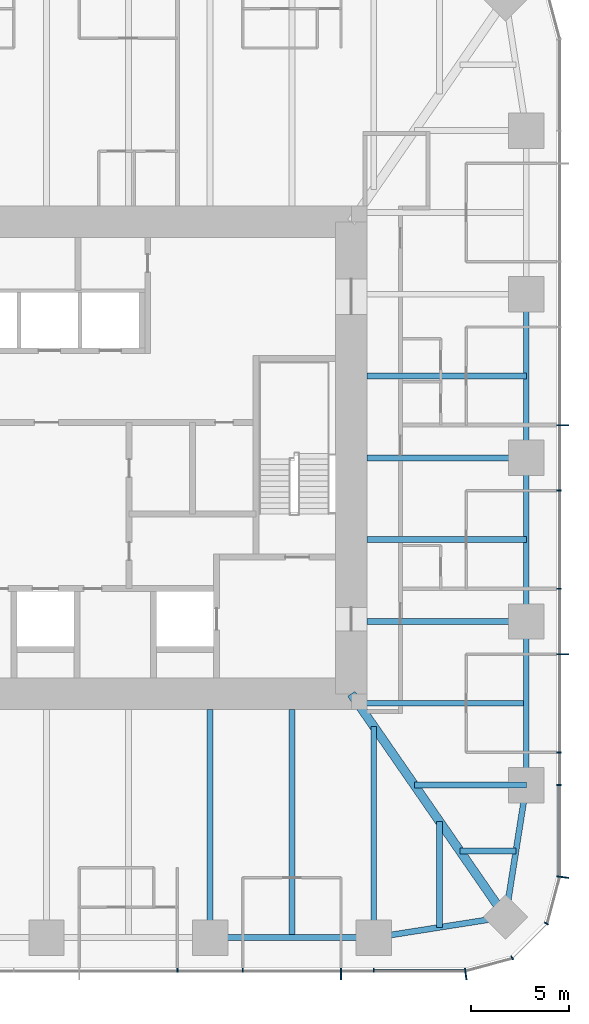
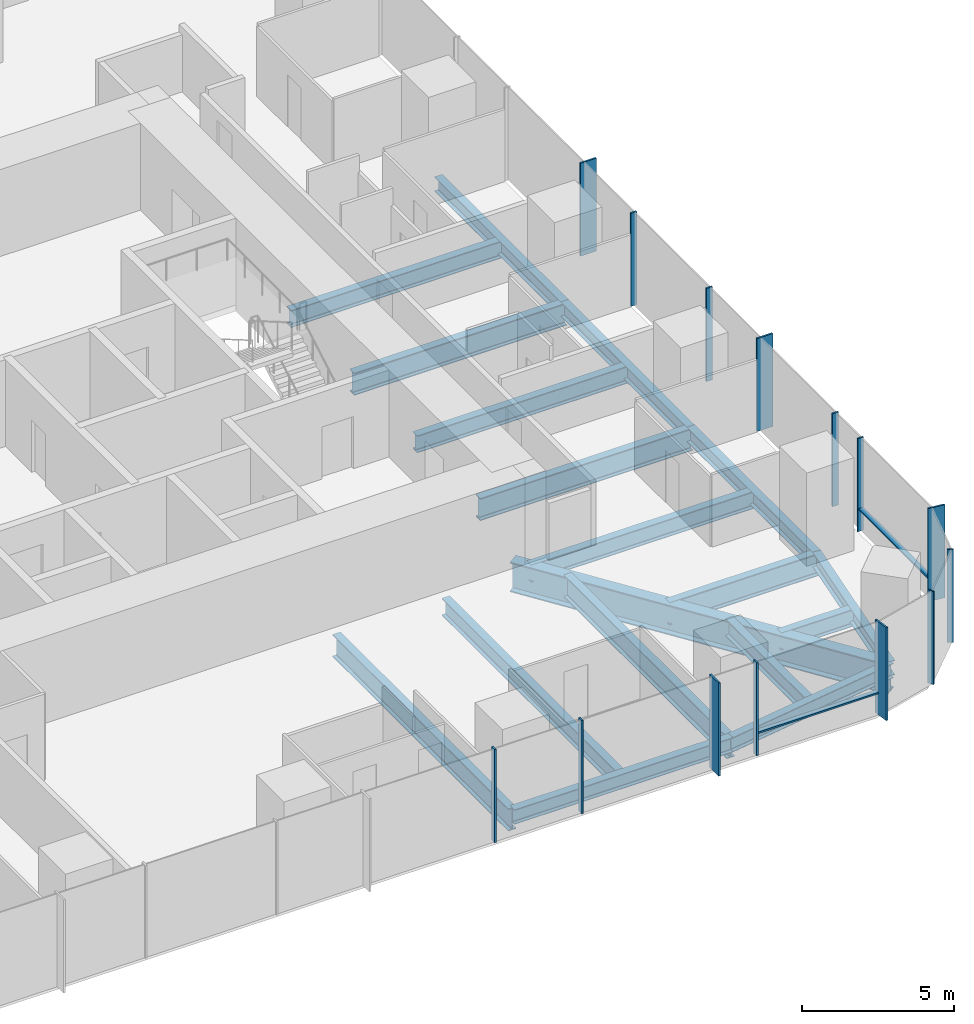
# One storey, part 4 of 12: 18 beams, 16 members, 3 elements without a shape of their own.
"""IFC4 building model written with IfcOpenShell, lengths in metres."""

from ifc_helpers import new_model, si_unit, direction, frame, origin, origin_2d, place, context, subcontext, project, spatial, rectangle, i_section, extrude, material, material_profile, profile_set, type_object, element, aggregate, save


model = new_model("IFC4")

# Units and contexts
model_context = context("Model", 3, precision=1e-05, world=origin(), true_north=direction((0.0, 1.0)))
body_context = subcontext(model_context, "Body", "Model", "MODEL_VIEW")
ifc_project = project(units=[si_unit("LENGTHUNIT", "METRE"), si_unit("AREAUNIT", "SQUARE_METRE"), si_unit("VOLUMEUNIT", "CUBIC_METRE"), si_unit("PLANEANGLEUNIT", "RADIAN"), si_unit("MASSUNIT", "GRAM", prefix="KILO")], contexts=[model_context])

# Site, building, storey
site_placement = place(None, origin())
site = spatial("IfcSite", under=ifc_project, at=site_placement, CompositionType="ELEMENT")
building_placement = place(site_placement, origin())
building = spatial("IfcBuilding", under=site, at=building_placement, Name="Khuree Lantern Residences", CompositionType="ELEMENT")
storey_placement = place(building_placement, frame((0.0, 0.0, 240.75)))
storey = spatial("IfcBuildingStorey", under=building, at=storey_placement, Name="L60", CompositionType="ELEMENT", Elevation=240.75)

# Beams
ifc_material_1 = material(Name="Steel S355", Category="steel")
ifc_material_profile_1 = material_profile(ifc_material_1, i_section(OverallWidth=0.300048828125, OverallDepth=0.68994140625, WebThickness=0.014404296875, FlangeThickness=0.027099609375, FilletRadius=0.027099609375, at=origin_2d()), Name="HE 700 A")
ifc_profile_set_1 = profile_set([ifc_material_profile_1], Name="Steel S355")
beam_type_1 = type_object("IfcBeamType", Name="B-33 SECONDARY BEAM HE 700 A", PredefinedType="BEAM", material=ifc_profile_set_1)
for number, where, z_axis, x_axis, name in (
    (1, (24.39990234375, 4.159912109375, -0.594970703125), (-1.0, 0.0, 0.0), (0.0, -1.0, 0.0), "Secondary beam E3"),
    (2, (24.39990234375, -4.159912109375, -0.594970703125), (-1.0, 0.0, 0.0), (0.0, -1.0, 0.0), "Secondary beam E4"),
):
    element("IfcBeam", number, at=place(storey_placement, frame(where, z_axis=z_axis, x_axis=x_axis)), inside=storey, type_object=beam_type_1, Name=name, PredefinedType="BEAM", context=body_context, shape_type="SweptSolid", body=[
        extrude(i_section(OverallWidth=0.300048828125, OverallDepth=0.68994140625, WebThickness=0.014404296875, FlangeThickness=0.027099609375, FilletRadius=0.027099609375, at=origin_2d()), origin(), (0.0, 0.0, 1.0), 8.099853515625),
    ])
beam_1_placement = place(storey_placement, frame((24.39990234375, -12.47998046875, -0.594970703125), z_axis=(-1.0, 0.0, 0.0), x_axis=(0.0, -1.0, 0.0)))
element("IfcBeam", 3, at=beam_1_placement, inside=storey, type_object=beam_type_1, Name="Secondary beam E5", PredefinedType="BEAM", context=body_context, shape_type="SweptSolid", body=[
    extrude(i_section(OverallWidth=0.300048828125, OverallDepth=0.68994140625, WebThickness=0.014404296875, FlangeThickness=0.027099609375, FilletRadius=0.027099609375, at=origin_2d()), origin(), (0.0, 0.0, 1.0), 8.56787109375),
])
beam_2_placement = place(storey_placement, frame((23.872802734375, -19.992919921875, -0.594970703125), z_axis=(-1.0, 0.0, 0.0), x_axis=(0.0, -1.0, 0.0)))
element("IfcBeam", 4, at=beam_2_placement, inside=storey, type_object=beam_type_1, Name="Secondary beam E6", PredefinedType="BEAM", context=body_context, shape_type="SweptSolid", body=[
    extrude(i_section(OverallWidth=0.300048828125, OverallDepth=0.68994140625, WebThickness=0.014404296875, FlangeThickness=0.027099609375, FilletRadius=0.027099609375, at=origin_2d()), origin(), (0.0, 0.0, 1.0), 2.845703125),
])
beam_3_placement = place(storey_placement, frame((19.992919921875, -23.872802734375, -0.594970703125), z_axis=(0.0, 1.0, 0.0), x_axis=(-1.0, 0.0, 0.0)))
element("IfcBeam", 5, at=beam_3_placement, inside=storey, type_object=beam_type_1, Name="Secondary beam S1", PredefinedType="BEAM", context=body_context, shape_type="SweptSolid", body=[
    extrude(i_section(OverallWidth=0.300048828125, OverallDepth=0.68994140625, WebThickness=0.014404296875, FlangeThickness=0.027099609375, FilletRadius=0.027099609375, at=origin_2d()), origin(), (0.0, 0.0, 1.0), 5.375732421875),
])
beam_4_placement = place(storey_placement, frame((12.47998046875, -24.39990234375, -0.594970703125), z_axis=(0.0, 1.0, 0.0), x_axis=(-1.0, 0.0, 0.0)))
element("IfcBeam", 6, at=beam_4_placement, inside=storey, type_object=beam_type_1, Name="Secondary beam S2", PredefinedType="BEAM", context=body_context, shape_type="SweptSolid", body=[
    extrude(i_section(OverallWidth=0.300048828125, OverallDepth=0.68994140625, WebThickness=0.014404296875, FlangeThickness=0.027099609375, FilletRadius=0.027099609375, at=origin_2d()), origin(), (0.0, 0.0, 1.0), 11.599853515625),
])
ifc_material_profile_2 = material_profile(ifc_material_1, i_section(OverallWidth=0.300048828125, OverallDepth=0.590087890625, WebThickness=0.012939453125, FlangeThickness=0.02490234375, FilletRadius=0.027099609375, at=origin_2d()), Name="HE 600 A")
ifc_profile_set_2 = profile_set([ifc_material_profile_2], Name="Steel S355")
beam_type_2 = type_object("IfcBeamType", Name="E-33 SPANDREL BEAM HE 600 A", PredefinedType="SPANDREL", material=ifc_profile_set_2)
for number, where, z_axis, x_axis, name in (
    (7, (24.39990234375, 8.320068359375, -0.544921875), (0.0, -1.0, 0.0), (1.0, 0.0, 0.0), "Spandrel beam E3"),
    (8, (24.39990234375, 0.0, -0.544921875), (0.0, -1.0, 0.0), (1.0, 0.0, 0.0), "Spandrel beam E4"),
):
    element("IfcBeam", number, at=place(storey_placement, frame(where, z_axis=z_axis, x_axis=x_axis)), inside=storey, type_object=beam_type_2, Name=name, PredefinedType="SPANDREL", context=body_context, shape_type="SweptSolid", body=[
        extrude(i_section(OverallWidth=0.300048828125, OverallDepth=0.590087890625, WebThickness=0.012939453125, FlangeThickness=0.02490234375, FilletRadius=0.027099609375, at=origin_2d()), origin(), (0.0, 0.0, 1.0), 8.320068359375),
    ])
beam_5_placement = place(storey_placement, frame((24.39990234375, -8.320068359375, -0.544921875), z_axis=(0.0, -1.0, 0.0), x_axis=(1.0, 0.0, 0.0)))
element("IfcBeam", 9, at=beam_5_placement, inside=storey, type_object=beam_type_2, Name="Spandrel beam E5", PredefinedType="SPANDREL", context=body_context, shape_type="SweptSolid", body=[
    extrude(i_section(OverallWidth=0.300048828125, OverallDepth=0.590087890625, WebThickness=0.012939453125, FlangeThickness=0.02490234375, FilletRadius=0.027099609375, at=origin_2d()), origin(), (0.0, 0.0, 1.0), 8.31982421875),
])
for number, where, z_axis, x_axis, name in (
    (10, (24.39990234375, -16.639892578125, -0.544921875), (-0.155299507442, -0.98786743189, 0.0), (0.98786743189, -0.155299507442, 0.0), "Spandrel beam E6"),
    (11, (23.345703125, -23.345703125, -0.544921875), (-0.98786743189, -0.155299507442, 0.0), (0.155299507442, -0.98786743189, 0.0), "Spandrel beam S1"),
):
    element("IfcBeam", number, at=place(storey_placement, frame(where, z_axis=z_axis, x_axis=x_axis)), inside=storey, type_object=beam_type_2, Name=name, PredefinedType="SPANDREL", context=body_context, shape_type="SweptSolid", body=[
        extrude(i_section(OverallWidth=0.300048828125, OverallDepth=0.590087890625, WebThickness=0.012939453125, FlangeThickness=0.02490234375, FilletRadius=0.027099609375, at=origin_2d()), origin(), (0.0, 0.0, 1.0), 6.7880859375),
    ])
beam_6_placement = place(storey_placement, frame((16.639892578125, -24.39990234375, -0.544921875), z_axis=(-1.0, 0.0, 0.0), x_axis=(0.0, -1.0, 0.0)))
element("IfcBeam", 12, at=beam_6_placement, inside=storey, type_object=beam_type_2, Name="Spandrel beam S2", PredefinedType="SPANDREL", context=body_context, shape_type="SweptSolid", body=[
    extrude(i_section(OverallWidth=0.300048828125, OverallDepth=0.590087890625, WebThickness=0.012939453125, FlangeThickness=0.02490234375, FilletRadius=0.027099609375, at=origin_2d()), origin(), (0.0, 0.0, 1.0), 8.31982421875),
])

# Curtain wall, member
ifc_material_2 = material(Name="Bronze anodised aluminium", Category="aluminium")
curtain_wall_type_1 = type_object("IfcCurtainWallType", Name="CW-T2 TOWER CORNER CURTAIN WALL", PredefinedType="USERDEFINED", material=ifc_material_2)
curtain_wall_1_placement = place(storey_placement, origin())
curtain_wall_1 = element("IfcCurtainWall", 13, at=curtain_wall_1_placement, inside=storey, type_object=curtain_wall_type_1, Name="L60 SOUTH-EAST CORNER CURTAIN WALL", ObjectType="Faceted corner curtain wall", PredefinedType="USERDEFINED")
ifc_material_profile_3 = material_profile(ifc_material_2, rectangle(XDim=0.06494140625, YDim=0.60009765625, at=origin_2d()), Name="F1 65X600")
ifc_profile_set_3 = profile_set([ifc_material_profile_3], Name="Bronze anodised aluminium")
member_type_1 = type_object("IfcMemberType", Name="F1 BRONZE FIN MULLION TOWER 65X600", PredefinedType="MULLION", material=ifc_profile_set_3)
member_1_placement = place(storey_placement, frame((21.31982421875, -26.25, 0.0), z_axis=(0.0, 0.0, 1.0), x_axis=(0.991444862943, 0.130526180298, 0.0)))
member_1 = element("IfcMember", 14, at=member_1_placement, type_object=member_type_1, Name="L60 SOUTH-EAST CORNER FIN MULLION 1", PredefinedType="MULLION", context=body_context, shape_type="SweptSolid", body=[
    extrude(rectangle(XDim=0.06494140625, YDim=0.60009765625, at=origin_2d()), origin(), (0.0, 0.0, 1.0), 3.75),
])

# Curtain wall, members
curtain_wall_type_2 = type_object("IfcCurtainWallType", Name="CW-T1 TOWER FACE CURTAIN WALL", PredefinedType="USERDEFINED", material=ifc_material_2)
curtain_wall_2_placement = place(storey_placement, origin())
curtain_wall_2 = element("IfcCurtainWall", 15, at=curtain_wall_2_placement, inside=storey, type_object=curtain_wall_type_2, Name="L60 EAST FACE CURTAIN WALL", ObjectType="Stick-built curtain wall", PredefinedType="USERDEFINED")
member_2_placement = place(storey_placement, frame((26.25, -21.31982421875, 0.0), z_axis=(0.0, 0.0, 1.0), x_axis=(0.130526180298, 0.991444862943, 0.0)))
member_2 = element("IfcMember", 16, at=member_2_placement, type_object=member_type_1, Name="L60 EAST FACE FIN MULLION 4", PredefinedType="MULLION", context=body_context, shape_type="SweptSolid", body=[
    extrude(rectangle(XDim=0.06494140625, YDim=0.60009765625, at=origin_2d()), origin(), (0.0, 0.0, 1.0), 3.75),
])
member_3_placement = place(storey_placement, frame((26.25, -9.98388671875, 0.0), z_axis=(0.0, 0.0, 1.0), x_axis=(0.0, 1.0, 0.0)))
member_3 = element("IfcMember", 17, at=member_3_placement, type_object=member_type_1, Name="L60 EAST FACE FIN MULLION 7", PredefinedType="MULLION", context=body_context, shape_type="SweptSolid", body=[
    extrude(rectangle(XDim=0.06494140625, YDim=0.60009765625, at=origin_2d()), origin(), (0.0, 0.0, 1.0), 3.75),
])
member_4_placement = place(storey_placement, frame((26.25, 1.6640625, 0.0), z_axis=(0.0, 0.0, 1.0), x_axis=(0.0, 1.0, 0.0)))
member_4 = element("IfcMember", 18, at=member_4_placement, type_object=member_type_1, Name="L60 EAST FACE FIN MULLION 10", PredefinedType="MULLION", context=body_context, shape_type="SweptSolid", body=[
    extrude(rectangle(XDim=0.06494140625, YDim=0.60009765625, at=origin_2d()), origin(), (0.0, 0.0, 1.0), 3.75),
])

# Curtain wall, member
curtain_wall_3_placement = place(storey_placement, origin())
curtain_wall_3 = element("IfcCurtainWall", 19, at=curtain_wall_3_placement, inside=storey, type_object=curtain_wall_type_2, Name="L60 SOUTH FACE CURTAIN WALL", ObjectType="Stick-built curtain wall", PredefinedType="USERDEFINED")
member_5_placement = place(storey_placement, frame((14.97607421875, -26.25, 0.0), z_axis=(0.0, 0.0, 1.0), x_axis=(1.0, 0.0, 0.0)))
member_5 = element("IfcMember", 20, at=member_5_placement, type_object=member_type_1, Name="L60 SOUTH FACE FIN MULLION 55", PredefinedType="MULLION", context=body_context, shape_type="SweptSolid", body=[
    extrude(rectangle(XDim=0.06494140625, YDim=0.60009765625, at=origin_2d()), origin(), (0.0, 0.0, 1.0), 3.75),
])

# Beams
ifc_material_profile_4 = material_profile(ifc_material_1, i_section(OverallWidth=0.300048828125, OverallDepth=0.89990234375, WebThickness=0.0185546875, FlangeThickness=0.034912109375, FilletRadius=0.030029296875, at=origin_2d()), Name="HE 900 B")
ifc_profile_set_4 = profile_set([ifc_material_profile_4], Name="Steel S355")
beam_type_3 = type_object("IfcBeamType", Name="G-33 GIRDER HE 900 B", PredefinedType="BEAM", material=ifc_profile_set_4)
for number, where, z_axis, x_axis, name in (
    (21, (24.39990234375, 0.0, -0.699951171875), (-1.0, 0.0, 0.0), (0.0, -1.0, 0.0), "Girder E3"),
    (22, (24.39990234375, -8.320068359375, -0.699951171875), (-1.0, 0.0, 0.0), (0.0, -1.0, 0.0), "Girder E4"),
):
    element("IfcBeam", number, at=place(storey_placement, frame(where, z_axis=z_axis, x_axis=x_axis)), inside=storey, type_object=beam_type_3, Name=name, PredefinedType="BEAM", context=body_context, shape_type="SweptSolid", body=[
        extrude(i_section(OverallWidth=0.300048828125, OverallDepth=0.89990234375, WebThickness=0.0185546875, FlangeThickness=0.034912109375, FilletRadius=0.030029296875, at=origin_2d()), origin(), (0.0, 0.0, 1.0), 8.099853515625),
    ])
beam_7_placement = place(storey_placement, frame((24.39990234375, -16.639892578125, -0.699951171875), z_axis=(-1.0, 0.0, 0.0), x_axis=(0.0, -1.0, 0.0)))
element("IfcBeam", 23, at=beam_7_placement, inside=storey, type_object=beam_type_3, Name="Girder E5", PredefinedType="BEAM", context=body_context, shape_type="SweptSolid", body=[
    extrude(i_section(OverallWidth=0.300048828125, OverallDepth=0.89990234375, WebThickness=0.0185546875, FlangeThickness=0.034912109375, FilletRadius=0.030029296875, at=origin_2d()), origin(), (0.0, 0.0, 1.0), 5.69140625),
])
beam_8_placement = place(storey_placement, frame((16.639892578125, -24.39990234375, -0.699951171875), z_axis=(0.0, 1.0, 0.0), x_axis=(-1.0, 0.0, 0.0)))
element("IfcBeam", 24, at=beam_8_placement, inside=storey, type_object=beam_type_3, Name="Girder S1", PredefinedType="BEAM", context=body_context, shape_type="SweptSolid", body=[
    extrude(i_section(OverallWidth=0.300048828125, OverallDepth=0.89990234375, WebThickness=0.0185546875, FlangeThickness=0.034912109375, FilletRadius=0.030029296875, at=origin_2d()), origin(), (0.0, 0.0, 1.0), 10.751220703125),
])
beam_9_placement = place(storey_placement, frame((8.320068359375, -24.39990234375, -0.699951171875), z_axis=(0.0, 1.0, 0.0), x_axis=(-1.0, 0.0, 0.0)))
element("IfcBeam", 25, at=beam_9_placement, inside=storey, type_object=beam_type_3, Name="Girder S2", PredefinedType="BEAM", context=body_context, shape_type="SweptSolid", body=[
    extrude(i_section(OverallWidth=0.300048828125, OverallDepth=0.89990234375, WebThickness=0.0185546875, FlangeThickness=0.034912109375, FilletRadius=0.030029296875, at=origin_2d()), origin(), (0.0, 0.0, 1.0), 11.599853515625),
])
ifc_material_profile_5 = material_profile(ifc_material_1, i_section(OverallWidth=0.449951171875, OverallDepth=1.199951171875, WebThickness=0.02490234375, FlangeThickness=0.044921875, at=origin_2d()), Name="WELDED I 1200X450X25X45")
ifc_profile_set_5 = profile_set([ifc_material_profile_5], Name="Steel S355")
beam_type_4 = type_object("IfcBeamType", Name="GD-33 CORNER GIRDER WELDED I 1200X450X25X45", PredefinedType="BEAM", material=ifc_profile_set_5)
beam_10_placement = place(storey_placement, frame((23.345703125, -23.345703125, -0.85009765625), z_axis=(-0.56876813501, 0.822497907959, 0.0), x_axis=(-0.822497907959, -0.56876813501, 0.0)))
element("IfcBeam", 26, at=beam_10_placement, inside=storey, type_object=beam_type_4, Name="Corner girder SE", PredefinedType="BEAM", context=body_context, shape_type="SweptSolid", body=[
    extrude(i_section(OverallWidth=0.449951171875, OverallDepth=1.199951171875, WebThickness=0.02490234375, FlangeThickness=0.044921875, at=origin_2d()), origin(), (0.0, 0.0, 1.0), 13.794189453125),
])

# Member
ifc_material_profile_6 = material_profile(ifc_material_2, rectangle(XDim=0.06494140625, YDim=0.219970703125, at=origin_2d()), Name="M1 65X220")
ifc_profile_set_6 = profile_set([ifc_material_profile_6], Name="Bronze anodised aluminium")
member_type_2 = type_object("IfcMemberType", Name="M1 BRONZE MULLION TOWER 65X220", PredefinedType="MULLION", material=ifc_profile_set_6)
member_6_placement = place(storey_placement, frame((23.679931640625, -25.42236328125, 0.0), z_axis=(0.0, 0.0, 1.0), x_axis=(0.866025409797, 0.499999989586, 0.0)))
member_6 = element("IfcMember", 27, at=member_6_placement, type_object=member_type_2, Name="L60 SOUTH-EAST CORNER MULLION 2", PredefinedType="MULLION", context=body_context, shape_type="SweptSolid", body=[
    extrude(rectangle(XDim=0.06494140625, YDim=0.219970703125, at=origin_2d()), origin(), (0.0, 0.0, 1.0), 3.75),
])

member_7_placement = place(storey_placement, frame((25.42236328125, -23.679931640625, 0.0), z_axis=(0.0, 0.0, 1.0), x_axis=(0.499999989586, 0.866025409797, 0.0)))
member_7 = element("IfcMember", 28, at=member_7_placement, type_object=member_type_2, Name="L60 SOUTH-EAST CORNER MULLION 3", PredefinedType="MULLION", context=body_context, shape_type="SweptSolid", body=[
    extrude(rectangle(XDim=0.06494140625, YDim=0.219970703125, at=origin_2d()), origin(), (0.0, 0.0, 1.0), 3.75),
])

aggregate(curtain_wall_1, [member_1, member_6, member_7])

member_8_placement = place(storey_placement, frame((26.06005859375, -16.639892578125, 0.0), z_axis=(0.0, 0.0, 1.0), x_axis=(0.0, 1.0, 0.0)))
member_8 = element("IfcMember", 29, at=member_8_placement, type_object=member_type_2, Name="L60 EAST FACE MULLION 5", PredefinedType="MULLION", context=body_context, shape_type="SweptSolid", body=[
    extrude(rectangle(XDim=0.06494140625, YDim=0.219970703125, at=origin_2d()), origin(), (0.0, 0.0, 1.0), 3.75),
])

member_9_placement = place(storey_placement, frame((26.06005859375, -14.97607421875, 0.0), z_axis=(0.0, 0.0, 1.0), x_axis=(0.0, 1.0, 0.0)))
member_9 = element("IfcMember", 30, at=member_9_placement, type_object=member_type_2, Name="L60 EAST FACE MULLION 6", PredefinedType="MULLION", context=body_context, shape_type="SweptSolid", body=[
    extrude(rectangle(XDim=0.06494140625, YDim=0.219970703125, at=origin_2d()), origin(), (0.0, 0.0, 1.0), 3.75),
])

member_10_placement = place(storey_placement, frame((26.06005859375, -6.656005859375, 0.0), z_axis=(0.0, 0.0, 1.0), x_axis=(0.0, 1.0, 0.0)))
member_10 = element("IfcMember", 31, at=member_10_placement, type_object=member_type_2, Name="L60 EAST FACE MULLION 8", PredefinedType="MULLION", context=body_context, shape_type="SweptSolid", body=[
    extrude(rectangle(XDim=0.06494140625, YDim=0.219970703125, at=origin_2d()), origin(), (0.0, 0.0, 1.0), 3.75),
])

member_11_placement = place(storey_placement, frame((26.06005859375, -1.6640625, 0.0), z_axis=(0.0, 0.0, 1.0), x_axis=(0.0, 1.0, 0.0)))
member_11 = element("IfcMember", 32, at=member_11_placement, type_object=member_type_2, Name="L60 EAST FACE MULLION 9", PredefinedType="MULLION", context=body_context, shape_type="SweptSolid", body=[
    extrude(rectangle(XDim=0.06494140625, YDim=0.219970703125, at=origin_2d()), origin(), (0.0, 0.0, 1.0), 3.75),
])

member_12_placement = place(storey_placement, frame((6.656005859375, -26.06005859375, 0.0), z_axis=(0.0, 0.0, 1.0), x_axis=(1.0, 0.0, 0.0)))
member_12 = element("IfcMember", 33, at=member_12_placement, type_object=member_type_2, Name="L60 SOUTH FACE MULLION 53", PredefinedType="MULLION", context=body_context, shape_type="SweptSolid", body=[
    extrude(rectangle(XDim=0.06494140625, YDim=0.219970703125, at=origin_2d()), origin(), (0.0, 0.0, 1.0), 3.75),
])

member_13_placement = place(storey_placement, frame((9.98388671875, -26.06005859375, 0.0), z_axis=(0.0, 0.0, 1.0), x_axis=(1.0, 0.0, 0.0)))
member_13 = element("IfcMember", 34, at=member_13_placement, type_object=member_type_2, Name="L60 SOUTH FACE MULLION 54", PredefinedType="MULLION", context=body_context, shape_type="SweptSolid", body=[
    extrude(rectangle(XDim=0.06494140625, YDim=0.219970703125, at=origin_2d()), origin(), (0.0, 0.0, 1.0), 3.75),
])

member_14_placement = place(storey_placement, frame((16.639892578125, -26.06005859375, 0.0), z_axis=(0.0, 0.0, 1.0), x_axis=(1.0, 0.0, 0.0)))
member_14 = element("IfcMember", 35, at=member_14_placement, type_object=member_type_2, Name="L60 SOUTH FACE MULLION 56", PredefinedType="MULLION", context=body_context, shape_type="SweptSolid", body=[
    extrude(rectangle(XDim=0.06494140625, YDim=0.219970703125, at=origin_2d()), origin(), (0.0, 0.0, 1.0), 3.75),
])

ifc_material_profile_7 = material_profile(ifc_material_2, rectangle(XDim=0.179931640625, YDim=0.06494140625, at=origin_2d()), Name="T1 180X65")
ifc_profile_set_7 = profile_set([ifc_material_profile_7], Name="Bronze anodised aluminium")
member_type_3 = type_object("IfcMemberType", Name="TRANSOM T1 TOWER 180X65", PredefinedType="USERDEFINED", material=ifc_profile_set_7)
member_15_placement = place(storey_placement, frame((26.070068359375, -21.25146484375, 0.89990234375), z_axis=(0.0, 1.0, 0.0), x_axis=(-1.0, 0.0, 0.0)))
member_15 = element("IfcMember", 36, at=member_15_placement, type_object=member_type_3, Name="L60 EAST FACE TRANSOM 4.1", ObjectType="Transom", PredefinedType="USERDEFINED", context=body_context, shape_type="SweptSolid", body=[
    extrude(rectangle(XDim=0.179931640625, YDim=0.06494140625, at=origin_2d()), origin(), (0.0, 0.0, 1.0), 4.578857421875),
])

aggregate(curtain_wall_2, [member_2, member_8, member_9, member_3, member_10, member_11, member_4, member_15])

member_16_placement = place(storey_placement, frame((16.672607421875, -26.070068359375, 0.89990234375), z_axis=(1.0, 0.0, 0.0), x_axis=(0.0, 1.0, 0.0)))
member_16 = element("IfcMember", 37, at=member_16_placement, type_object=member_type_3, Name="L60 SOUTH FACE TRANSOM 56.1", ObjectType="Transom", PredefinedType="USERDEFINED", context=body_context, shape_type="SweptSolid", body=[
    extrude(rectangle(XDim=0.179931640625, YDim=0.06494140625, at=origin_2d()), origin(), (0.0, 0.0, 1.0), 4.578857421875),
])

aggregate(curtain_wall_3, [member_12, member_13, member_5, member_14, member_16])

save(model, "model.ifc")
